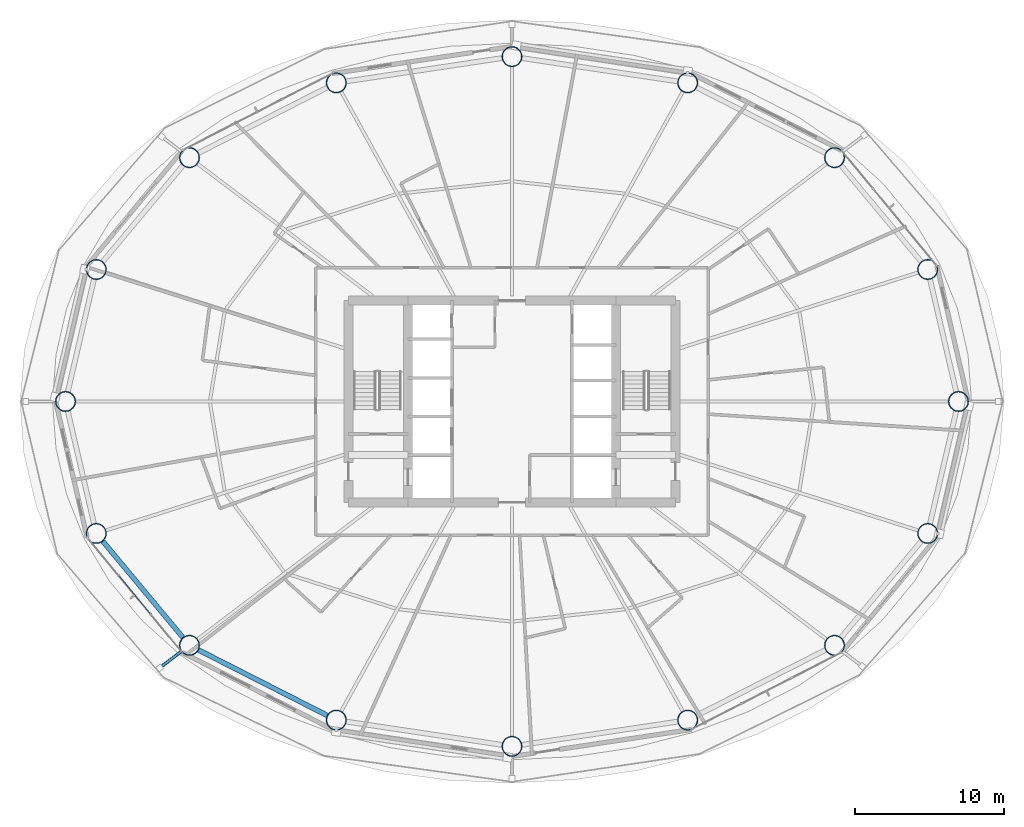
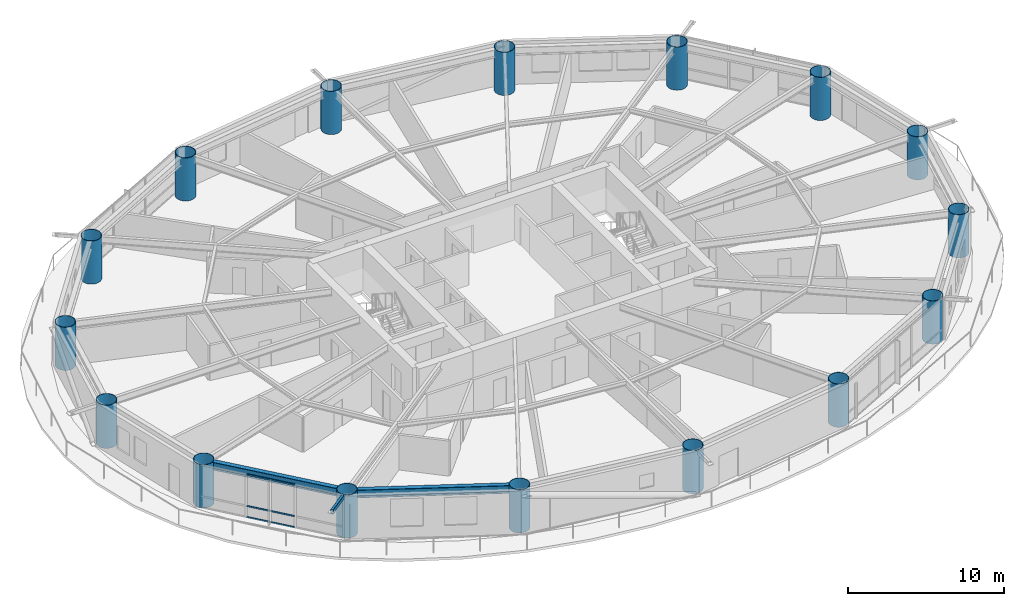
# One storey, part 1 of 26: 16 columns, 4 members, 2 beams, 1 element without a shape of its own.
"""IFC4 building model written with IfcOpenShell, lengths in metres."""

from ifc_helpers import new_model, si_unit, direction, frame, origin, origin_2d, place, context, subcontext, project, spatial, hollow_rectangle, hollow_circle, i_section, extrude, material, layer, layer_set, material_profile, profile_set, type_object, element, aggregate, save


model = new_model("IFC4")

# Units and contexts
model_context = context("Model", 3, precision=1e-05, world=origin(), true_north=direction((0.0, 1.0)))
body_context = subcontext(model_context, "Body", "Model", "MODEL_VIEW")
ifc_project = project(units=[si_unit("LENGTHUNIT", "METRE"), si_unit("AREAUNIT", "SQUARE_METRE"), si_unit("VOLUMEUNIT", "CUBIC_METRE"), si_unit("PLANEANGLEUNIT", "RADIAN"), si_unit("MASSUNIT", "GRAM", prefix="KILO")], contexts=[model_context])

# Site, building, storey
site_placement = place(None, origin())
site = spatial("IfcSite", under=ifc_project, at=site_placement, CompositionType="ELEMENT")
building_placement = place(site_placement, origin())
building = spatial("IfcBuilding", under=site, at=building_placement, Name="Sarneth Arch Tower", CompositionType="ELEMENT")
storey_placement = place(building_placement, frame((0.0, 0.0, 57.0)))
storey = spatial("IfcBuildingStorey", under=building, at=storey_placement, Name="L13", CompositionType="ELEMENT", Elevation=57.0)

# Columns
ifc_material_1 = material(Name="Steel S355", Category="steel")
ifc_material_profile_1 = material_profile(ifc_material_1, hollow_circle(Radius=0.675048828125, WallThickness=0.035888671875, at=origin_2d()), Name="CHS1350x36")
ifc_profile_set_1 = profile_set([ifc_material_profile_1], Name="Steel S355")
column_type = type_object("IfcColumnType", Name="COL-MEGA-1350", PredefinedType="COLUMN", material=ifc_profile_set_1)
for number, where, z_axis, x_axis, name in (
    (1, (78.034912109375, 42.0, 0.0), (0.0, 0.0, 1.0), (1.0, 0.0, 0.0), "L13 Perimeter mega-column M01"),
    (2, (75.965576171875, 50.878173828125, 0.0), (0.0, 0.0, 1.0), (1.0, 0.0, 0.0), "L13 Perimeter mega-column M02"),
    (3, (69.696533203125, 58.40478515625, 0.0), (0.0, 0.0, 1.0), (1.0, 0.0, 0.0), "L13 Perimeter mega-column M03"),
    (4, (59.81787109375, 63.43408203125, 0.0), (0.0, 0.0, 1.0), (1.0, 0.0, 0.0), "L13 Perimeter mega-column M04"),
    (5, (48.0, 65.199951171875, 0.0), (0.0, 0.0, 1.0), (1.0, 0.0, 0.0), "L13 Perimeter mega-column M05"),
    (6, (36.18212890625, 63.43408203125, 0.0), (0.0, 0.0, 1.0), (1.0, 0.0, 0.0), "L13 Perimeter mega-column M06"),
    (7, (26.303466796875, 58.40478515625, 0.0), (0.0, 0.0, 1.0), (1.0, 0.0, 0.0), "L13 Perimeter mega-column M07"),
    (8, (20.034423828125, 50.878173828125, 0.0), (0.0, 0.0, 1.0), (1.0, 0.0, 0.0), "L13 Perimeter mega-column M08"),
    (9, (17.965087890625, 42.0, 0.0), (0.0, 0.0, 1.0), (1.0, 0.0, 0.0), "L13 Perimeter mega-column M09"),
    (10, (20.034423828125, 33.121826171875, 0.0), (0.0, 0.0, 1.0), (1.0, 0.0, 0.0), "L13 Perimeter mega-column M10"),
    (11, (26.303466796875, 25.59521484375, 0.0), (0.0, 0.0, 1.0), (1.0, 0.0, 0.0), "L13 Perimeter mega-column M11"),
    (12, (36.18212890625, 20.56591796875, 0.0), (0.0, 0.0, 1.0), (1.0, 0.0, 0.0), "L13 Perimeter mega-column M12"),
    (13, (48.0, 18.800048828125, 0.0), (0.0, 0.0, 1.0), (1.0, 0.0, 0.0), "L13 Perimeter mega-column M13"),
    (14, (59.81787109375, 20.56591796875, 0.0), (0.0, 0.0, 1.0), (1.0, 0.0, 0.0), "L13 Perimeter mega-column M14"),
    (15, (69.696533203125, 25.59521484375, 0.0), (0.0, 0.0, 1.0), (1.0, 0.0, 0.0), "L13 Perimeter mega-column M15"),
    (16, (75.965576171875, 33.121826171875, 0.0), (0.0, 0.0, 1.0), (1.0, 0.0, 0.0), "L13 Perimeter mega-column M16"),
):
    element("IfcColumn", number, at=place(storey_placement, frame(where, z_axis=z_axis, x_axis=x_axis)), inside=storey, type_object=column_type, Name=name, PredefinedType="COLUMN", context=body_context, shape_type="SweptSolid", body=[
        extrude(hollow_circle(Radius=0.675048828125, WallThickness=0.035888671875, at=origin_2d()), origin(), (0.0, 0.0, 1.0), 3.3798828125),
    ])

# Beams
ifc_material_2 = material(Name="Steel S355", Category="steel")
ifc_material_profile_2 = material_profile(ifc_material_2, i_section(OverallWidth=0.326904296875, OverallDepth=0.6220703125, WebThickness=0.015380859375, FlangeThickness=0.0244140625, FilletRadius=0.01904296875, at=origin_2d()), Name="W610x195")
ifc_profile_set_2 = profile_set([ifc_material_profile_2], Name="Steel S355")
beam_type = type_object("IfcBeamType", Name="BM-SPAN-610A", PredefinedType="SPANDREL", material=ifc_profile_set_2)
beam_1_placement = place(storey_placement, frame((20.466552734375, 32.60302734375, 3.069091796875), z_axis=(0.639979646835, -0.768391860731, 0.0), x_axis=(0.768391860731, 0.639979646835, 0.0)))
element("IfcBeam", 17, at=beam_1_placement, inside=storey, type_object=beam_type, Name="L13 Perimeter spandrel beam 10", PredefinedType="SPANDREL", context=body_context, shape_type="SweptSolid", body=[
    extrude(i_section(OverallWidth=0.326904296875, OverallDepth=0.6220703125, WebThickness=0.015380859375, FlangeThickness=0.0244140625, FilletRadius=0.01904296875, at=origin_2d()), origin(), (0.0, 0.0, 1.0), 8.4453125),
])
beam_2_placement = place(storey_placement, frame((26.90478515625, 25.288818359375, 3.069091796875), z_axis=(0.8911738076, -0.453662037919, 0.0), x_axis=(0.453662037919, 0.8911738076, 0.0)))
element("IfcBeam", 18, at=beam_2_placement, inside=storey, type_object=beam_type, Name="L13 Perimeter spandrel beam 11", PredefinedType="SPANDREL", context=body_context, shape_type="SweptSolid", body=[
    extrude(i_section(OverallWidth=0.326904296875, OverallDepth=0.6220703125, WebThickness=0.015380859375, FlangeThickness=0.0244140625, FilletRadius=0.01904296875, at=origin_2d()), origin(), (0.0, 0.0, 1.0), 9.735107421875),
])

# Curtain wall, members
ifc_material_3 = material(Name="Anodised aluminium Type AA25 and solar-control low-e laminated IGU", Category="aluminium")
ifc_layer = layer(ifc_material_3, 0.159912109375)
ifc_layer_set = layer_set([ifc_layer], Name="Anodised aluminium Type AA25 and solar-control low-e laminated IGU")
curtain_wall_type = type_object("IfcCurtainWallType", Name="CW-HOTEL-LOW", PredefinedType="NOTDEFINED", material=ifc_layer_set)
curtain_wall_placement = place(storey_placement, origin())
curtain_wall = element("IfcCurtainWall", 19, at=curtain_wall_placement, inside=storey, type_object=curtain_wall_type, Name="L13 Unitised curtain wall facet 10", PredefinedType="NOTDEFINED")
ifc_material_4 = material(Name="Anodised Aluminium 6063-T6", Category="aluminium")
ifc_material_profile_3 = material_profile(ifc_material_4, hollow_rectangle(XDim=0.06005859375, YDim=0.1201171875, WallThickness=0.00390625, at=origin_2d()), Name="AL-TRAN-120x60x4")
ifc_profile_set_3 = profile_set([ifc_material_profile_3], Name="Anodised Aluminium 6063-T6")
member_type_1 = type_object("IfcMemberType", Name="CW-TRANSOM", PredefinedType="USERDEFINED", material=ifc_profile_set_3)
member_1_placement = place(storey_placement, frame((21.57373046875, 30.256103515625, 0.030029296875), z_axis=(0.637268595771, -0.770641769465, 0.0), x_axis=(0.770641769465, 0.637268595771, 0.0)))
member_1 = element("IfcMember", 20, at=member_1_placement, type_object=member_type_1, Name="CW-SYS-3 transom 2.1", ObjectType="TRANSOM", PredefinedType="USERDEFINED", context=body_context, shape_type="SweptSolid", body=[
    extrude(hollow_rectangle(XDim=0.06005859375, YDim=0.1201171875, WallThickness=0.00390625, at=origin_2d()), origin(), (0.0, 0.0, 1.0), 3.291259765625),
])
member_2_placement = place(storey_placement, frame((21.57373046875, 30.256103515625, 0.89990234375), z_axis=(0.637268595771, -0.770641769465, 0.0), x_axis=(0.770641769465, 0.637268595771, 0.0)))
member_2 = element("IfcMember", 21, at=member_2_placement, type_object=member_type_1, Name="CW-SYS-3 transom 2.2", ObjectType="TRANSOM", PredefinedType="USERDEFINED", context=body_context, shape_type="SweptSolid", body=[
    extrude(hollow_rectangle(XDim=0.06005859375, YDim=0.1201171875, WallThickness=0.00390625, at=origin_2d()), origin(), (0.0, 0.0, 1.0), 3.291259765625),
])
member_3_placement = place(storey_placement, frame((21.57373046875, 30.256103515625, 3.35009765625), z_axis=(0.637268595771, -0.770641769465, 0.0), x_axis=(0.770641769465, 0.637268595771, 0.0)))
member_3 = element("IfcMember", 22, at=member_3_placement, type_object=member_type_1, Name="CW-SYS-3 transom 2.3", ObjectType="TRANSOM", PredefinedType="USERDEFINED", context=body_context, shape_type="SweptSolid", body=[
    extrude(hollow_rectangle(XDim=0.06005859375, YDim=0.1201171875, WallThickness=0.00390625, at=origin_2d()), origin(), (0.0, 0.0, 1.0), 3.291259765625),
])
aggregate(curtain_wall, [member_1, member_2, member_3])

# Member
ifc_material_5 = material(Name="Steel S355", Category="steel")
ifc_material_profile_4 = material_profile(ifc_material_5, hollow_rectangle(XDim=0.199951171875, YDim=0.300048828125, WallThickness=0.012451171875, InnerFilletRadius=0.018798828125, OuterFilletRadius=0.03125, at=origin_2d()), Name="RHS300x200x12.5")
ifc_profile_set_4 = profile_set([ifc_material_profile_4], Name="Steel S355")
member_type_2 = type_object("IfcMemberType", Name="MEM-CANT-STRUT", PredefinedType="STRUT", material=ifc_profile_set_4)
member_4_placement = place(storey_placement, frame((25.764892578125, 25.18798828125, 3.219970703125), z_axis=(-0.797646841747, -0.603124792934, 0.0), x_axis=(0.603124792934, -0.797646841747, 0.0)))
element("IfcMember", 23, at=member_4_placement, inside=storey, type_object=member_type_2, Name="L13 Balcony cantilever bracket 11", PredefinedType="STRUT", context=body_context, shape_type="SweptSolid", body=[
    extrude(hollow_rectangle(XDim=0.199951171875, YDim=0.300048828125, WallThickness=0.012451171875, InnerFilletRadius=0.018798828125, OuterFilletRadius=0.03125, at=origin_2d()), origin(), (0.0, 0.0, 1.0), 1.8349609375),
])

save(model, "model.ifc")
